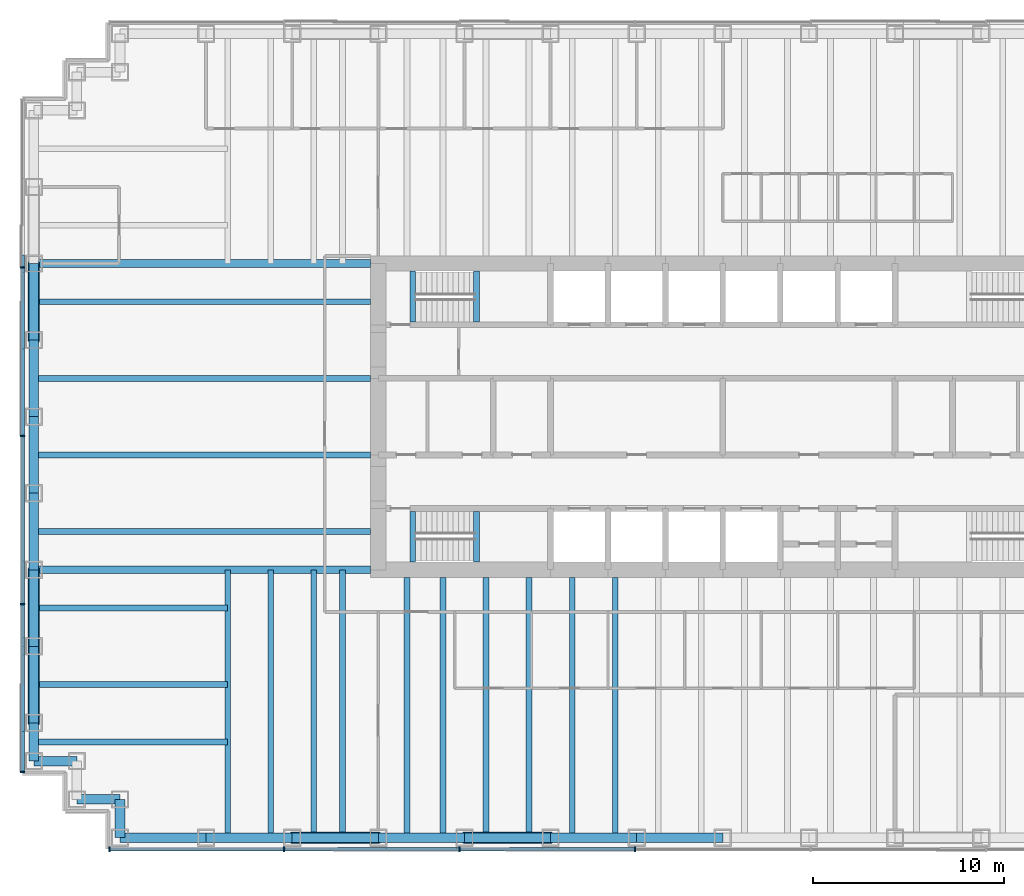
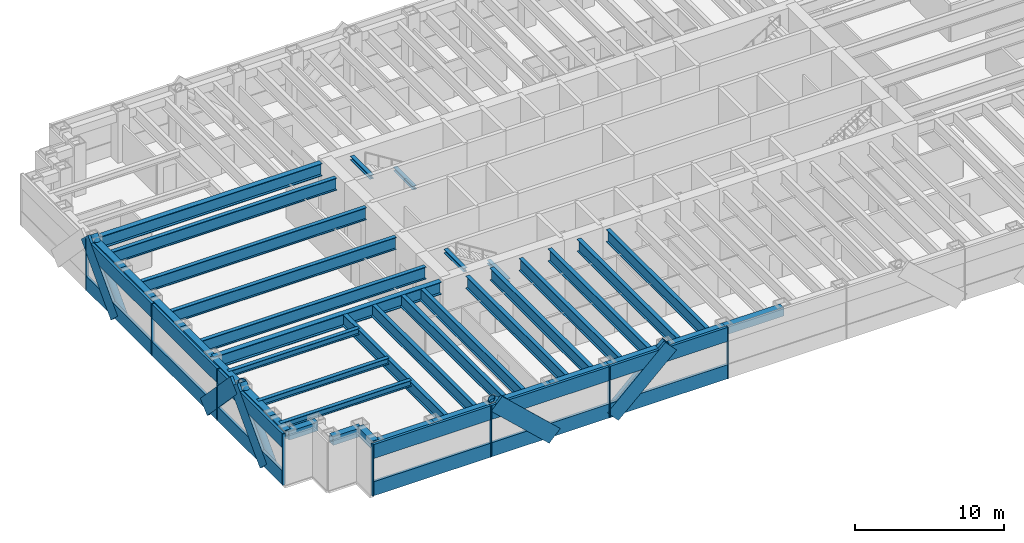
# One storey, part 2 of 12: 40 beams, 30 members, 2 elements without a shape of their own.
"""IFC4 building model written with IfcOpenShell, lengths in metres."""

import ifcopenshell
import ifcopenshell.guid

model = None  # the IFC model being written
_history = None  # IfcOwnerHistory: only IFC2X3 demands one
_inside = {}  # id of a spatial element -> (the spatial element, [elements in it])
_under = {}  # id of a project, library or spatial element -> (it, [spatial elements below it])
_declared = {}  # id of a project -> (the project, [libraries it declares])
_typed = {}  # id of a type object -> (the type object, [elements of that type])
_made_of = {}  # id of a material, layer set ... -> (it, [elements and type objects made of it])


def new_model(schema):
    """Start an empty IFC model of exactly this schema.

    Asked for "IFC4X3", IfcOpenShell would pick the latest addendum, in which some entities
    have other attributes; the version numbers below select the first issue.
    IFC2X3 requires an IfcOwnerHistory on every rooted entity: one is made here for all.
    """
    global model, _history
    if schema == "IFC4X3":
        model = ifcopenshell.file(schema_version=(4, 3, 0, 0))
    else:
        model = ifcopenshell.file(schema=schema)
    _inside.clear()
    _under.clear()
    _declared.clear()
    _typed.clear()
    _made_of.clear()
    _history = None
    if model.schema == "IFC2X3":
        org = make("IfcOrganization", Name="unknown")
        user = make(
            "IfcPersonAndOrganization",
            ThePerson=make("IfcPerson", FamilyName="unknown"),
            TheOrganization=org,
        )
        app = make(
            "IfcApplication",
            ApplicationDeveloper=org,
            Version="unknown",
            ApplicationFullName="unknown",
            ApplicationIdentifier="unknown",
        )
        _history = make(
            "IfcOwnerHistory",
            OwningUser=user,
            OwningApplication=app,
            ChangeAction="ADDED",
            CreationDate=0,
        )
    return model


def make(cls, **values):
    """One entity of the class cls with the attributes given. An attribute that is None is left unset."""
    return model.create_entity(
        cls, **{name: value for name, value in values.items() if value is not None}
    )


def rooted(cls, **values):
    """An entity with a GlobalId (a new one), such as an element, a storey or a relation."""
    return make(cls, GlobalId=ifcopenshell.guid.new(), OwnerHistory=_history, **values)


def si_unit(unit_type, name, prefix=None):
    """IfcSIUnit, for example si_unit("LENGTHUNIT", "METRE", prefix="MILLI")."""
    return make("IfcSIUnit", UnitType=unit_type, Prefix=prefix, Name=name)


def assignment(units):
    """IfcUnitAssignment: the units of a project."""
    return None if units is None else make("IfcUnitAssignment", Units=units)


def point(xyz):
    """IfcCartesianPoint."""
    return None if xyz is None else make("IfcCartesianPoint", Coordinates=xyz)


def direction(xyz):
    """IfcDirection."""
    return None if xyz is None else make("IfcDirection", DirectionRatios=xyz)


def frame(location, z_axis=None, x_axis=None):
    """IfcAxis2Placement3D, a coordinate frame: its origin and axes. An axis left out is left unset."""
    return make(
        "IfcAxis2Placement3D",
        Location=point(location),
        Axis=direction(z_axis),
        RefDirection=direction(x_axis),
    )


def frame_2d(location, x_axis=None):
    """IfcAxis2Placement2D, a coordinate frame in the plane: its origin and x axis."""
    return make(
        "IfcAxis2Placement2D", Location=point(location), RefDirection=direction(x_axis)
    )


def origin():
    """The frame at (0, 0, 0) with its axes left unset."""
    return frame((0.0, 0.0, 0.0))


def origin_2d():
    """The frame at (0, 0) in the plane with its x axis left unset."""
    return frame_2d((0.0, 0.0))


def place(relative_to, where):
    """IfcLocalPlacement: puts the frame where relative to a parent placement (None: the world)."""
    return make(
        "IfcLocalPlacement", PlacementRelTo=relative_to, RelativePlacement=where
    )


def context(
    kind, dimensions, precision=None, world=None, true_north=None, identifier=None
):
    """IfcGeometricRepresentationContext, for example the 3D "Model" context."""
    return make(
        "IfcGeometricRepresentationContext",
        ContextIdentifier=identifier,
        ContextType=kind,
        CoordinateSpaceDimension=dimensions,
        Precision=precision,
        WorldCoordinateSystem=world,
        TrueNorth=true_north,
    )


def subcontext(parent, identifier, kind, view, scale=None):
    """IfcGeometricRepresentationSubContext, for example "Body" below "Model"."""
    return make(
        "IfcGeometricRepresentationSubContext",
        ContextIdentifier=identifier,
        ContextType=kind,
        ParentContext=parent,
        TargetScale=scale,
        TargetView=view,
    )


def project(units=None, contexts=None):
    """IfcProject with its units and contexts."""
    return rooted(
        "IfcProject",
        Name="project",
        RepresentationContexts=contexts,
        UnitsInContext=assignment(units),
    )


def spatial(cls, under=None, at=None, **own):
    """A site, building, storey or space (cls), placed at a placement, below another one or the project."""
    s = rooted(cls, ObjectPlacement=at, **own)
    if under is not None:
        _under.setdefault(under.id(), (under, []))[1].append(s)
    return s


def profile(cls, at=None, kind="AREA", **sizes):
    """A parametric profile (cls). Its sizes go by their IFC names, for example OverallWidth=200.0."""
    return make(cls, ProfileType=kind, Position=at, **sizes)


def rectangle(**sizes):
    """IfcRectangleProfileDef."""
    return profile("IfcRectangleProfileDef", **sizes)


def hollow_rectangle(**sizes):
    """IfcRectangleHollowProfileDef."""
    return profile("IfcRectangleHollowProfileDef", **sizes)


def hollow_circle(**sizes):
    """IfcCircleHollowProfileDef."""
    return profile("IfcCircleHollowProfileDef", **sizes)


def i_section(**sizes):
    """IfcIShapeProfileDef."""
    return profile("IfcIShapeProfileDef", **sizes)


def extrude(swept, where, along, depth):
    """IfcExtrudedAreaSolid: the profile swept, set in the frame where, extruded along a direction by depth."""
    return make(
        "IfcExtrudedAreaSolid",
        SweptArea=swept,
        Position=where,
        ExtrudedDirection=direction(along),
        Depth=depth,
    )


def shape(context_of_items, identifier, shape_type, items):
    """IfcShapeRepresentation: the items that make up one representation, for example the "Body"."""
    return make(
        "IfcShapeRepresentation",
        ContextOfItems=context_of_items,
        RepresentationIdentifier=identifier,
        RepresentationType=shape_type,
        Items=items,
    )


def material(Name=None, Category=None):
    """IfcMaterial."""
    return make("IfcMaterial", Name=Name, Category=Category)


def material_profile(
    of_material, cross_section, Name=None, Category=None, Priority=None
):
    """IfcMaterialProfile: a cross section and its material."""
    return make(
        "IfcMaterialProfile",
        Name=Name,
        Material=of_material,
        Profile=cross_section,
        Priority=Priority,
        Category=Category,
    )


def profile_set(profiles, Name=None, composite=None):
    """IfcMaterialProfileSet."""
    return make(
        "IfcMaterialProfileSet",
        Name=Name,
        MaterialProfiles=profiles,
        CompositeProfile=composite,
    )


def made_of(thing, what):
    """Note that an element or type object is made of a material, layer set ...; save() writes the relation."""
    if what is not None:
        _made_of.setdefault(what.id(), (what, []))[1].append(thing)
    return thing


def type_object(cls, material=None, **own):
    """A type object (cls), such as IfcWallType, which elements share."""
    return made_of(rooted(cls, **own), material)


def element(
    cls,
    number,
    at=None,
    inside=None,
    cuts=None,
    type_object=None,
    material=None,
    context=None,
    identifier="Body",
    shape_type=None,
    held_by="IfcProductDefinitionShape",
    body=None,
    shapes=None,
    **own,
):
    """One element of the class cls, such as IfcWall. Its Tag is "e" and its number.

    at: its placement. inside: the storey or other place that contains it. cuts: it is an
    opening in that element (IfcRelVoidsElement). A single representation is given by context,
    identifier, shape_type and body (its items); several are given by shapes. held_by: the class
    of the entity that holds the representations. save() writes the other relations.
    """
    e = rooted(cls, Tag="e%d" % number, ObjectPlacement=at, **own)
    if body is not None:
        shapes = [shape(context, identifier, shape_type, body)]
    if shapes is not None:
        e.Representation = make(held_by, Representations=shapes)
    if inside is not None:
        _inside.setdefault(inside.id(), (inside, []))[1].append(e)
    if cuts is not None:
        rooted(
            "IfcRelVoidsElement", RelatingBuildingElement=cuts, RelatedOpeningElement=e
        )
    if type_object is not None:
        _typed.setdefault(type_object.id(), (type_object, []))[1].append(e)
    return made_of(e, material)


def aggregate(whole, parts):
    """IfcRelAggregates: a whole, such as a stair, and the parts it consists of."""
    return rooted("IfcRelAggregates", RelatingObject=whole, RelatedObjects=parts)


def save(model, path):
    """Write the relations noted so far, then the file.

    IfcRelAggregates (storeys below a building ...), IfcRelContainedInSpatialStructure (elements
    in a storey), IfcRelDefinesByType, IfcRelAssociatesMaterial and IfcRelDeclares: one each for
    every whole, place, type object, material and project.
    """
    for whole, parts in _under.values():
        aggregate(whole, parts)
    for where, things in _inside.values():
        rooted(
            "IfcRelContainedInSpatialStructure",
            RelatedElements=things,
            RelatingStructure=where,
        )
    for kind, things in _typed.values():
        rooted("IfcRelDefinesByType", RelatedObjects=things, RelatingType=kind)
    for what, things in _made_of.values():
        rooted("IfcRelAssociatesMaterial", RelatedObjects=things, RelatingMaterial=what)
    for by, libraries in _declared.values():
        rooted("IfcRelDeclares", RelatingContext=by, RelatedDefinitions=libraries)
    model.write(path)


model = new_model("IFC4")

# Units and contexts
model_context = context("Model", 3, precision=1e-05, world=origin(), true_north=direction((0.0, 1.0)))
body_context = subcontext(model_context, "Body", "Model", "MODEL_VIEW")
ifc_project = project(units=[si_unit("LENGTHUNIT", "METRE"), si_unit("AREAUNIT", "SQUARE_METRE"), si_unit("VOLUMEUNIT", "CUBIC_METRE"), si_unit("PLANEANGLEUNIT", "RADIAN"), si_unit("MASSUNIT", "GRAM", prefix="KILO")], contexts=[model_context])

# Site, building, storey
site_placement = place(None, origin())
site = spatial("IfcSite", under=ifc_project, at=site_placement, CompositionType="ELEMENT")
building_placement = place(site_placement, origin())
building = spatial("IfcBuilding", under=site, at=building_placement, Name="Rheinbord Bourse Tower", CompositionType="ELEMENT")
storey_placement = place(building_placement, frame((0.0, 0.0, 261.39990234375)))
storey = spatial("IfcBuildingStorey", under=building, at=storey_placement, Name="L59", CompositionType="ELEMENT", Elevation=261.39990234375)

# Beams
ifc_material_1 = material(Name="Steel S460M", Category="steel")
ifc_material_profile_1 = material_profile(ifc_material_1, hollow_rectangle(XDim=0.5, YDim=0.699951171875, WallThickness=0.0400390625, at=origin_2d()), Name="BOX 700x500x40")
ifc_profile_set_1 = profile_set([ifc_material_profile_1], Name="Steel S460M")
beam_type_1 = type_object("IfcBeamType", Name="BELT CHORD BOX 700x500x40", PredefinedType="SPANDREL", material=ifc_profile_set_1)
for number, where, z_axis, x_axis, name in (
    (1, (4.5, 2.0, 3.60009765625), (1.0, 0.0, 0.0), (0.0, 1.0, 0.0), "Spandrel SW-E-S-9 under L60"),
    (2, (9.0, 2.0, 3.60009765625), (1.0, 0.0, 0.0), (0.0, 1.0, 0.0), "Spandrel S-9-S-13.5 under L60"),
    (3, (13.5, 2.0, 3.60009765625), (1.0, 0.0, 0.0), (0.0, 1.0, 0.0), "Spandrel S-13.5-S-18 under L60"),
    (4, (18.0, 2.0, 3.60009765625), (1.0, 0.0, 0.0), (0.0, 1.0, 0.0), "Spandrel S-18-S-22.5 under L60"),
    (5, (22.5, 2.0, 3.60009765625), (1.0, 0.0, 0.0), (0.0, 1.0, 0.0), "Spandrel S-22.5-S-27 under L60"),
    (6, (27.0, 2.0, 3.60009765625), (1.0, 0.0, 0.0), (0.0, 1.0, 0.0), "Spandrel S-27-S-31.5 under L60"),
    (7, (31.5, 2.0, 3.60009765625), (1.0, 0.0, 0.0), (0.0, 1.0, 0.0), "Spandrel S-31.5-S-36 under L60"),
):
    element("IfcBeam", number, at=place(storey_placement, frame(where, z_axis=z_axis, x_axis=x_axis)), inside=storey, type_object=beam_type_1, Name=name, PredefinedType="SPANDREL", context=body_context, shape_type="SweptSolid", body=[
        extrude(hollow_rectangle(XDim=0.5, YDim=0.699951171875, WallThickness=0.0400390625, at=origin_2d()), origin(), (0.0, 0.0, 1.0), 4.5),
    ])
for number, where, z_axis, x_axis, name in (
    (8, (0.0, 32.0, 3.60009765625), (0.0, -1.0, 0.0), (1.0, 0.0, 0.0), "Spandrel W-32-W-28 under L60"),
    (9, (0.0, 28.0, 3.60009765625), (0.0, -1.0, 0.0), (1.0, 0.0, 0.0), "Spandrel W-28-W-24 under L60"),
    (10, (0.0, 24.0, 3.60009765625), (0.0, -1.0, 0.0), (1.0, 0.0, 0.0), "Spandrel W-24-W-20 under L60"),
    (11, (0.0, 20.0, 3.60009765625), (0.0, -1.0, 0.0), (1.0, 0.0, 0.0), "Spandrel W-20-W-16 under L60"),
    (12, (0.0, 16.0, 3.60009765625), (0.0, -1.0, 0.0), (1.0, 0.0, 0.0), "Spandrel W-16-W-12 under L60"),
    (13, (0.0, 12.0, 3.60009765625), (0.0, -1.0, 0.0), (1.0, 0.0, 0.0), "Spandrel W-12-W-8 under L60"),
):
    element("IfcBeam", number, at=place(storey_placement, frame(where, z_axis=z_axis, x_axis=x_axis)), inside=storey, type_object=beam_type_1, Name=name, PredefinedType="SPANDREL", context=body_context, shape_type="SweptSolid", body=[
        extrude(hollow_rectangle(XDim=0.5, YDim=0.699951171875, WallThickness=0.0400390625, at=origin_2d()), origin(), (0.0, 0.0, 1.0), 4.0),
    ])
beam_1_placement = place(storey_placement, frame((0.0, 8.0, 3.60009765625), z_axis=(0.0, -1.0, 0.0), x_axis=(1.0, 0.0, 0.0)))
element("IfcBeam", 14, at=beam_1_placement, inside=storey, type_object=beam_type_1, Name="Spandrel W-8-SW-A under L60", PredefinedType="SPANDREL", context=body_context, shape_type="SweptSolid", body=[
    extrude(hollow_rectangle(XDim=0.5, YDim=0.699951171875, WallThickness=0.0400390625, at=origin_2d()), origin(), (0.0, 0.0, 1.0), 2.0),
])
for number, where, z_axis, x_axis, name in (
    (15, (0.0, 6.0, 3.60009765625), (1.0, 0.0, 0.0), (0.0, 1.0, 0.0), "Spandrel SW-A-SW-B under L60"),
    (16, (2.25, 4.0, 3.60009765625), (1.0, 0.0, 0.0), (0.0, 1.0, 0.0), "Spandrel SW-C-SW-D under L60"),
):
    element("IfcBeam", number, at=place(storey_placement, frame(where, z_axis=z_axis, x_axis=x_axis)), inside=storey, type_object=beam_type_1, Name=name, PredefinedType="SPANDREL", context=body_context, shape_type="SweptSolid", body=[
        extrude(hollow_rectangle(XDim=0.5, YDim=0.699951171875, WallThickness=0.0400390625, at=origin_2d()), origin(), (0.0, 0.0, 1.0), 2.25),
    ])
beam_2_placement = place(storey_placement, frame((4.5, 4.0, 3.60009765625), z_axis=(0.0, -1.0, 0.0), x_axis=(1.0, 0.0, 0.0)))
element("IfcBeam", 17, at=beam_2_placement, inside=storey, type_object=beam_type_1, Name="Spandrel SW-D-SW-E under L60", PredefinedType="SPANDREL", context=body_context, shape_type="SweptSolid", body=[
    extrude(hollow_rectangle(XDim=0.5, YDim=0.699951171875, WallThickness=0.0400390625, at=origin_2d()), origin(), (0.0, 0.0, 1.0), 2.0),
])

# Curtain wall, members
ifc_material_2 = material(Name="Dark glass and black aluminium", Category="aluminium")
curtain_wall_type = type_object("IfcCurtainWallType", Name="CW5 DARK GLASS CURTAIN WALL", PredefinedType="USERDEFINED", material=ifc_material_2)
curtain_wall_1_placement = place(storey_placement, origin())
curtain_wall_1 = element("IfcCurtainWall", 18, at=curtain_wall_1_placement, inside=storey, type_object=curtain_wall_type, Name="Curtain wall CW5 S L59", ObjectType="UNITISED CURTAIN WALL", PredefinedType="USERDEFINED")
ifc_material_3 = material(Name="Black anodised aluminium", Category="aluminium")
ifc_material_profile_2 = material_profile(ifc_material_3, rectangle(XDim=0.199951171875, YDim=1.259033203125, at=origin_2d()), Name="CW5 DIAGONAL MULLION 1259x200")
ifc_profile_set_2 = profile_set([ifc_material_profile_2], Name="Black anodised aluminium")
member_type_1 = type_object("IfcMemberType", Name="CW5 BLACK DIAGONAL MULLION", PredefinedType="USERDEFINED", material=ifc_profile_set_2)
member_1_placement = place(storey_placement, frame((22.5, 1.39990234375, 0.0), z_axis=(0.731039441158, 0.0, 0.682335207557), x_axis=(0.0, 1.0, 0.0)))
member_1 = element("IfcMember", 19, at=member_1_placement, type_object=member_type_1, Name="CW5 diagonal mullion a", ObjectType="DIAGONAL MULLION", PredefinedType="USERDEFINED", context=body_context, shape_type="SweptSolid", body=[
    extrude(rectangle(XDim=0.199951171875, YDim=1.259033203125, at=origin_2d()), origin(), (0.0, 0.0, 1.0), 6.155517578125),
])
member_2_placement = place(storey_placement, frame((18.0, 1.39990234375, 0.0), z_axis=(-0.731039441158, 0.0, 0.682335207557), x_axis=(0.0, -1.0, 0.0)))
member_2 = element("IfcMember", 20, at=member_2_placement, type_object=member_type_1, Name="CW5 diagonal mullion d", ObjectType="DIAGONAL MULLION", PredefinedType="USERDEFINED", context=body_context, shape_type="SweptSolid", body=[
    extrude(rectangle(XDim=0.199951171875, YDim=1.259033203125, at=origin_2d()), origin(), (0.0, 0.0, 1.0), 6.155517578125),
])

curtain_wall_2_placement = place(storey_placement, origin())
curtain_wall_2 = element("IfcCurtainWall", 21, at=curtain_wall_2_placement, inside=storey, type_object=curtain_wall_type, Name="Curtain wall CW5 W L59", ObjectType="UNITISED CURTAIN WALL", PredefinedType="USERDEFINED")
member_3_placement = place(storey_placement, frame((-0.60009765625, 28.0, 0.0), z_axis=(0.0, 0.689638355374, 0.72415394689), x_axis=(-1.0, 0.0, 0.0)))
member_3 = element("IfcMember", 22, at=member_3_placement, type_object=member_type_1, Name="CW5 diagonal mullion a", ObjectType="DIAGONAL MULLION", PredefinedType="USERDEFINED", context=body_context, shape_type="SweptSolid", body=[
    extrude(rectangle(XDim=0.199951171875, YDim=1.259033203125, at=origin_2d()), origin(), (0.0, 0.0, 1.0), 5.800048828125),
])
member_4_placement = place(storey_placement, frame((-0.60009765625, 16.0, 0.0), z_axis=(0.0, -0.689638355374, 0.72415394689), x_axis=(1.0, 0.0, 0.0)))
member_4 = element("IfcMember", 23, at=member_4_placement, type_object=member_type_1, Name="CW5 diagonal mullion b", ObjectType="DIAGONAL MULLION", PredefinedType="USERDEFINED", context=body_context, shape_type="SweptSolid", body=[
    extrude(rectangle(XDim=0.199951171875, YDim=1.259033203125, at=origin_2d()), origin(), (0.0, 0.0, 1.0), 5.800048828125),
])
member_5_placement = place(storey_placement, frame((-0.60009765625, 8.0, 0.0), z_axis=(0.0, 0.689638355374, 0.72415394689), x_axis=(-1.0, 0.0, 0.0)))
member_5 = element("IfcMember", 24, at=member_5_placement, type_object=member_type_1, Name="CW5 diagonal mullion d", ObjectType="DIAGONAL MULLION", PredefinedType="USERDEFINED", context=body_context, shape_type="SweptSolid", body=[
    extrude(rectangle(XDim=0.199951171875, YDim=1.259033203125, at=origin_2d()), origin(), (0.0, 0.0, 1.0), 5.800048828125),
])

# Member
ifc_material_4 = material(Name="Black anodised aluminium", Category="aluminium")
ifc_material_profile_3 = material_profile(ifc_material_4, rectangle(XDim=0.25, YDim=0.080078125, at=origin_2d()), Name="CW5 MULLION 80x250")
ifc_profile_set_3 = profile_set([ifc_material_profile_3], Name="Black anodised aluminium")
member_type_2 = type_object("IfcMemberType", Name="CW5 BLACK MULLION", PredefinedType="MULLION", material=ifc_profile_set_3)
member_6_placement = place(storey_placement, frame((3.93994140625, 1.39990234375, 0.0), z_axis=(0.0, 0.0, 1.0), x_axis=(0.0, 1.0, 0.0)))
member_6 = element("IfcMember", 25, at=member_6_placement, type_object=member_type_2, Name="CW5 mullion 1", PredefinedType="MULLION", context=body_context, shape_type="SweptSolid", body=[
    extrude(rectangle(XDim=0.25, YDim=0.080078125, at=origin_2d()), origin(), (0.0, 0.0, 1.0), 4.2001953125),
])

member_7_placement = place(storey_placement, frame((13.071533203125, 1.39990234375, 0.0), z_axis=(0.0, 0.0, 1.0), x_axis=(0.0, 1.0, 0.0)))
member_7 = element("IfcMember", 26, at=member_7_placement, type_object=member_type_2, Name="CW5 mullion 2", PredefinedType="MULLION", context=body_context, shape_type="SweptSolid", body=[
    extrude(rectangle(XDim=0.25, YDim=0.080078125, at=origin_2d()), origin(), (0.0, 0.0, 1.0), 4.2001953125),
])

member_8_placement = place(storey_placement, frame((22.242919921875, 1.39990234375, 0.0), z_axis=(0.0, 0.0, 1.0), x_axis=(0.0, 1.0, 0.0)))
member_8 = element("IfcMember", 27, at=member_8_placement, type_object=member_type_2, Name="CW5 mullion 3", PredefinedType="MULLION", context=body_context, shape_type="SweptSolid", body=[
    extrude(rectangle(XDim=0.25, YDim=0.080078125, at=origin_2d()), origin(), (0.0, 0.0, 1.0), 4.2001953125),
])

member_9_placement = place(storey_placement, frame((31.414306640625, 1.39990234375, 0.0), z_axis=(0.0, 0.0, 1.0), x_axis=(0.0, 1.0, 0.0)))
member_9 = element("IfcMember", 28, at=member_9_placement, type_object=member_type_2, Name="CW5 mullion 4", PredefinedType="MULLION", context=body_context, shape_type="SweptSolid", body=[
    extrude(rectangle(XDim=0.25, YDim=0.080078125, at=origin_2d()), origin(), (0.0, 0.0, 1.0), 4.2001953125),
])

member_10_placement = place(storey_placement, frame((-0.60009765625, 31.800048828125, 0.0), z_axis=(0.0, 0.0, 1.0), x_axis=(1.0, 0.0, 0.0)))
member_10 = element("IfcMember", 29, at=member_10_placement, type_object=member_type_2, Name="CW5 mullion 2", PredefinedType="MULLION", context=body_context, shape_type="SweptSolid", body=[
    extrude(rectangle(XDim=0.25, YDim=0.080078125, at=origin_2d()), origin(), (0.0, 0.0, 1.0), 4.2001953125),
])

member_11_placement = place(storey_placement, frame((-0.60009765625, 23.0, 0.0), z_axis=(0.0, 0.0, 1.0), x_axis=(1.0, 0.0, 0.0)))
member_11 = element("IfcMember", 30, at=member_11_placement, type_object=member_type_2, Name="CW5 mullion 3", PredefinedType="MULLION", context=body_context, shape_type="SweptSolid", body=[
    extrude(rectangle(XDim=0.25, YDim=0.080078125, at=origin_2d()), origin(), (0.0, 0.0, 1.0), 4.2001953125),
])

member_12_placement = place(storey_placement, frame((-0.60009765625, 14.199951171875, 0.0), z_axis=(0.0, 0.0, 1.0), x_axis=(1.0, 0.0, 0.0)))
member_12 = element("IfcMember", 31, at=member_12_placement, type_object=member_type_2, Name="CW5 mullion 4", PredefinedType="MULLION", context=body_context, shape_type="SweptSolid", body=[
    extrude(rectangle(XDim=0.25, YDim=0.080078125, at=origin_2d()), origin(), (0.0, 0.0, 1.0), 4.2001953125),
])

member_13_placement = place(storey_placement, frame((-0.60009765625, 5.43994140625, 0.0), z_axis=(0.0, 0.0, 1.0), x_axis=(1.0, 0.0, 0.0)))
member_13 = element("IfcMember", 32, at=member_13_placement, type_object=member_type_2, Name="CW5 mullion 5", PredefinedType="MULLION", context=body_context, shape_type="SweptSolid", body=[
    extrude(rectangle(XDim=0.25, YDim=0.080078125, at=origin_2d()), origin(), (0.0, 0.0, 1.0), 4.2001953125),
])

ifc_material_5 = material(Name="Black anodised aluminium", Category="aluminium")
ifc_material_profile_4 = material_profile(ifc_material_5, rectangle(XDim=0.199951171875, YDim=1.14990234375, at=origin_2d()), Name="CW5 TRANSOM 1150x200")
ifc_profile_set_4 = profile_set([ifc_material_profile_4], Name="Black anodised aluminium")
member_type_3 = type_object("IfcMemberType", Name="CW5 BLACK TRANSOM", PredefinedType="USERDEFINED", material=ifc_profile_set_4)
member_14_placement = place(storey_placement, frame((3.97998046875, 1.39990234375, 0.5751953125), z_axis=(1.0, 0.0, 0.0), x_axis=(0.0, 1.0, 0.0)))
member_14 = element("IfcMember", 33, at=member_14_placement, type_object=member_type_3, Name="CW5 transom 1.1", ObjectType="TRANSOM", PredefinedType="USERDEFINED", context=body_context, shape_type="SweptSolid", body=[
    extrude(rectangle(XDim=0.199951171875, YDim=1.14990234375, at=origin_2d()), origin(), (0.0, 0.0, 1.0), 9.051513671875),
])

member_15_placement = place(storey_placement, frame((3.97998046875, 1.39990234375, 3.625), z_axis=(1.0, 0.0, 0.0), x_axis=(0.0, 1.0, 0.0)))
member_15 = element("IfcMember", 34, at=member_15_placement, type_object=member_type_3, Name="CW5 transom 1.2", ObjectType="TRANSOM", PredefinedType="USERDEFINED", context=body_context, shape_type="SweptSolid", body=[
    extrude(rectangle(XDim=0.199951171875, YDim=1.14990234375, at=origin_2d()), origin(), (0.0, 0.0, 1.0), 9.051513671875),
])

member_16_placement = place(storey_placement, frame((13.111328125, 1.39990234375, 0.5751953125), z_axis=(1.0, 0.0, 0.0), x_axis=(0.0, 1.0, 0.0)))
member_16 = element("IfcMember", 35, at=member_16_placement, type_object=member_type_3, Name="CW5 transom 2.1", ObjectType="TRANSOM", PredefinedType="USERDEFINED", context=body_context, shape_type="SweptSolid", body=[
    extrude(rectangle(XDim=0.199951171875, YDim=1.14990234375, at=origin_2d()), origin(), (0.0, 0.0, 1.0), 9.091552734375),
])

member_17_placement = place(storey_placement, frame((13.111328125, 1.39990234375, 3.625), z_axis=(1.0, 0.0, 0.0), x_axis=(0.0, 1.0, 0.0)))
member_17 = element("IfcMember", 36, at=member_17_placement, type_object=member_type_3, Name="CW5 transom 2.2", ObjectType="TRANSOM", PredefinedType="USERDEFINED", context=body_context, shape_type="SweptSolid", body=[
    extrude(rectangle(XDim=0.199951171875, YDim=1.14990234375, at=origin_2d()), origin(), (0.0, 0.0, 1.0), 9.091552734375),
])

member_18_placement = place(storey_placement, frame((22.282958984375, 1.39990234375, 0.5751953125), z_axis=(1.0, 0.0, 0.0), x_axis=(0.0, 1.0, 0.0)))
member_18 = element("IfcMember", 37, at=member_18_placement, type_object=member_type_3, Name="CW5 transom 3.1", ObjectType="TRANSOM", PredefinedType="USERDEFINED", context=body_context, shape_type="SweptSolid", body=[
    extrude(rectangle(XDim=0.199951171875, YDim=1.14990234375, at=origin_2d()), origin(), (0.0, 0.0, 1.0), 9.09130859375),
])

member_19_placement = place(storey_placement, frame((22.282958984375, 1.39990234375, 3.625), z_axis=(1.0, 0.0, 0.0), x_axis=(0.0, 1.0, 0.0)))
member_19 = element("IfcMember", 38, at=member_19_placement, type_object=member_type_3, Name="CW5 transom 3.2", ObjectType="TRANSOM", PredefinedType="USERDEFINED", context=body_context, shape_type="SweptSolid", body=[
    extrude(rectangle(XDim=0.199951171875, YDim=1.14990234375, at=origin_2d()), origin(), (0.0, 0.0, 1.0), 9.09130859375),
])

aggregate(curtain_wall_1, [member_6, member_7, member_8, member_9, member_14, member_15, member_16, member_17, member_18, member_19, member_1, member_2])

member_20_placement = place(storey_placement, frame((-0.60009765625, 31.760009765625, 0.5751953125), z_axis=(0.0, -1.0, 0.0), x_axis=(1.0, 0.0, 0.0)))
member_20 = element("IfcMember", 39, at=member_20_placement, type_object=member_type_3, Name="CW5 transom 2.1", ObjectType="TRANSOM", PredefinedType="USERDEFINED", context=body_context, shape_type="SweptSolid", body=[
    extrude(rectangle(XDim=0.199951171875, YDim=1.14990234375, at=origin_2d()), origin(), (0.0, 0.0, 1.0), 8.719970703125),
])

member_21_placement = place(storey_placement, frame((-0.60009765625, 31.760009765625, 3.625), z_axis=(0.0, -1.0, 0.0), x_axis=(1.0, 0.0, 0.0)))
member_21 = element("IfcMember", 40, at=member_21_placement, type_object=member_type_3, Name="CW5 transom 2.2", ObjectType="TRANSOM", PredefinedType="USERDEFINED", context=body_context, shape_type="SweptSolid", body=[
    extrude(rectangle(XDim=0.199951171875, YDim=1.14990234375, at=origin_2d()), origin(), (0.0, 0.0, 1.0), 8.719970703125),
])

member_22_placement = place(storey_placement, frame((-0.60009765625, 22.9599609375, 0.5751953125), z_axis=(0.0, -1.0, 0.0), x_axis=(1.0, 0.0, 0.0)))
member_22 = element("IfcMember", 41, at=member_22_placement, type_object=member_type_3, Name="CW5 transom 3.1", ObjectType="TRANSOM", PredefinedType="USERDEFINED", context=body_context, shape_type="SweptSolid", body=[
    extrude(rectangle(XDim=0.199951171875, YDim=1.14990234375, at=origin_2d()), origin(), (0.0, 0.0, 1.0), 8.719970703125),
])

member_23_placement = place(storey_placement, frame((-0.60009765625, 22.9599609375, 3.625), z_axis=(0.0, -1.0, 0.0), x_axis=(1.0, 0.0, 0.0)))
member_23 = element("IfcMember", 42, at=member_23_placement, type_object=member_type_3, Name="CW5 transom 3.2", ObjectType="TRANSOM", PredefinedType="USERDEFINED", context=body_context, shape_type="SweptSolid", body=[
    extrude(rectangle(XDim=0.199951171875, YDim=1.14990234375, at=origin_2d()), origin(), (0.0, 0.0, 1.0), 8.719970703125),
])

member_24_placement = place(storey_placement, frame((-0.60009765625, 14.159912109375, 0.5751953125), z_axis=(0.0, -1.0, 0.0), x_axis=(1.0, 0.0, 0.0)))
member_24 = element("IfcMember", 43, at=member_24_placement, type_object=member_type_3, Name="CW5 transom 4.1", ObjectType="TRANSOM", PredefinedType="USERDEFINED", context=body_context, shape_type="SweptSolid", body=[
    extrude(rectangle(XDim=0.199951171875, YDim=1.14990234375, at=origin_2d()), origin(), (0.0, 0.0, 1.0), 8.679931640625),
])

member_25_placement = place(storey_placement, frame((-0.60009765625, 14.159912109375, 3.625), z_axis=(0.0, -1.0, 0.0), x_axis=(1.0, 0.0, 0.0)))
member_25 = element("IfcMember", 44, at=member_25_placement, type_object=member_type_3, Name="CW5 transom 4.2", ObjectType="TRANSOM", PredefinedType="USERDEFINED", context=body_context, shape_type="SweptSolid", body=[
    extrude(rectangle(XDim=0.199951171875, YDim=1.14990234375, at=origin_2d()), origin(), (0.0, 0.0, 1.0), 8.679931640625),
])

aggregate(curtain_wall_2, [member_10, member_11, member_12, member_13, member_20, member_21, member_22, member_23, member_24, member_25, member_3, member_4, member_5])

# Beams
ifc_material_6 = material(Name="Steel S460", Category="steel")
ifc_material_profile_5 = material_profile(ifc_material_6, i_section(OverallWidth=0.302001953125, OverallDepth=1.008056640625, WebThickness=0.02099609375, FlangeThickness=0.0400390625, at=origin_2d()), Name="HEM 1000")
ifc_profile_set_5 = profile_set([ifc_material_profile_5], Name="Steel S460")
beam_type_2 = type_object("IfcBeamType", Name="END BEAM HEM 1000", PredefinedType="BEAM", material=ifc_profile_set_5)
for number, where, z_axis, x_axis, name in (
    (45, (0.0, 18.0, 3.446044921875), (1.0, 0.0, 0.0), (0.0, 1.0, 0.0), "End beam west 18 L60"),
    (46, (0.0, 22.0, 3.446044921875), (1.0, 0.0, 0.0), (0.0, 1.0, 0.0), "End beam west 22 L60"),
    (47, (0.0, 26.0, 3.446044921875), (1.0, 0.0, 0.0), (0.0, 1.0, 0.0), "End beam west 26 L60"),
    (48, (0.0, 30.0, 3.446044921875), (1.0, 0.0, 0.0), (0.0, 1.0, 0.0), "End beam west 30 L60"),
):
    element("IfcBeam", number, at=place(storey_placement, frame(where, z_axis=z_axis, x_axis=x_axis)), inside=storey, type_object=beam_type_2, Name=name, PredefinedType="BEAM", context=body_context, shape_type="SweptSolid", body=[
        extrude(i_section(OverallWidth=0.302001953125, OverallDepth=1.008056640625, WebThickness=0.02099609375, FlangeThickness=0.0400390625, at=origin_2d()), origin(), (0.0, 0.0, 1.0), 17.60009765625),
    ])
ifc_material_7 = material(Name="Steel S460", Category="steel")
ifc_material_profile_6 = material_profile(ifc_material_7, i_section(OverallWidth=0.302001953125, OverallDepth=1.008056640625, WebThickness=0.02099609375, FlangeThickness=0.0400390625, at=origin_2d()), Name="HEM 1000")
ifc_profile_set_6 = profile_set([ifc_material_profile_6], Name="Steel S460")
beam_type_3 = type_object("IfcBeamType", Name="FLOOR BEAM HEM 1000", PredefinedType="BEAM", material=ifc_profile_set_6)
for number, where, z_axis, x_axis, name in (
    (49, (10.125, 2.0, 3.446044921875), (0.0, 1.0, 0.0), (-1.0, 0.0, 0.0), "Floor beam S-9a L60"),
    (50, (12.375, 2.0, 3.446044921875), (0.0, 1.0, 0.0), (-1.0, 0.0, 0.0), "Floor beam S-9b L60"),
    (51, (14.625, 2.0, 3.446044921875), (0.0, 1.0, 0.0), (-1.0, 0.0, 0.0), "Floor beam S-13.5a L60"),
    (52, (16.125, 2.0, 3.446044921875), (0.0, 1.0, 0.0), (-1.0, 0.0, 0.0), "Floor beam S-13.5b L60"),
):
    element("IfcBeam", number, at=place(storey_placement, frame(where, z_axis=z_axis, x_axis=x_axis)), inside=storey, type_object=beam_type_3, Name=name, PredefinedType="BEAM", context=body_context, shape_type="SweptSolid", body=[
        extrude(i_section(OverallWidth=0.302001953125, OverallDepth=1.008056640625, WebThickness=0.02099609375, FlangeThickness=0.0400390625, at=origin_2d()), origin(), (0.0, 0.0, 1.0), 14.0),
    ])
for number, where, z_axis, x_axis, name in (
    (53, (19.5, 2.0, 3.446044921875), (0.0, 1.0, 0.0), (-1.0, 0.0, 0.0), "Floor beam S-18a L60"),
    (54, (21.375, 2.0, 3.446044921875), (0.0, 1.0, 0.0), (-1.0, 0.0, 0.0), "Floor beam S-18b L60"),
    (55, (23.625, 2.0, 3.446044921875), (0.0, 1.0, 0.0), (-1.0, 0.0, 0.0), "Floor beam S-22.5a L60"),
    (56, (25.875, 2.0, 3.446044921875), (0.0, 1.0, 0.0), (-1.0, 0.0, 0.0), "Floor beam S-22.5b L60"),
    (57, (28.125, 2.0, 3.446044921875), (0.0, 1.0, 0.0), (-1.0, 0.0, 0.0), "Floor beam S-27a L60"),
    (58, (30.375, 2.0, 3.446044921875), (0.0, 1.0, 0.0), (-1.0, 0.0, 0.0), "Floor beam S-27b L60"),
):
    element("IfcBeam", number, at=place(storey_placement, frame(where, z_axis=z_axis, x_axis=x_axis)), inside=storey, type_object=beam_type_3, Name=name, PredefinedType="BEAM", context=body_context, shape_type="SweptSolid", body=[
        extrude(i_section(OverallWidth=0.302001953125, OverallDepth=1.008056640625, WebThickness=0.02099609375, FlangeThickness=0.0400390625, at=origin_2d()), origin(), (0.0, 0.0, 1.0), 13.60009765625),
    ])
ifc_material_8 = material(Name="Steel S460", Category="steel")
ifc_material_profile_7 = material_profile(ifc_material_8, i_section(OverallWidth=0.404052734375, OverallDepth=1.02001953125, WebThickness=0.025390625, FlangeThickness=0.0458984375, at=origin_2d()), Name="HL 1000 x 483")
ifc_profile_set_7 = profile_set([ifc_material_profile_7], Name="Steel S460")
beam_type_4 = type_object("IfcBeamType", Name="GIRDER HL 1000 x 483", PredefinedType="BEAM", material=ifc_profile_set_7)
for number, where, z_axis, x_axis, name in (
    (59, (0.0, 16.0, 3.440185546875), (1.0, 0.0, 0.0), (0.0, 1.0, 0.0), "Girder west 16 L60"),
    (60, (0.0, 32.0, 3.440185546875), (1.0, 0.0, 0.0), (0.0, 1.0, 0.0), "Girder west 32 L60"),
):
    element("IfcBeam", number, at=place(storey_placement, frame(where, z_axis=z_axis, x_axis=x_axis)), inside=storey, type_object=beam_type_4, Name=name, PredefinedType="BEAM", context=body_context, shape_type="SweptSolid", body=[
        extrude(i_section(OverallWidth=0.404052734375, OverallDepth=1.02001953125, WebThickness=0.025390625, FlangeThickness=0.0458984375, at=origin_2d()), origin(), (0.0, 0.0, 1.0), 17.60009765625),
    ])
ifc_material_9 = material(Name="Steel S460", Category="steel")
ifc_material_profile_8 = material_profile(ifc_material_9, i_section(OverallWidth=0.300048828125, OverallDepth=0.300048828125, WebThickness=0.010986328125, FlangeThickness=0.01904296875, at=origin_2d()), Name="HEB 300")
ifc_profile_set_8 = profile_set([ifc_material_profile_8], Name="Steel S460")
beam_type_5 = type_object("IfcBeamType", Name="LANDING TRIMMER HEB 300", PredefinedType="BEAM", material=ifc_profile_set_8)
for number, where, z_axis, x_axis, name in (
    (61, (23.1298828125, 16.39990234375, 1.75), (0.0, 1.0, 0.0), (-1.0, 0.0, 0.0), "Landing trimmer ST1 L59"),
    (62, (19.800048828125, 16.39990234375, 3.800048828125), (0.0, 1.0, 0.0), (-1.0, 0.0, 0.0), "Well trimmer ST1 under L60"),
    (63, (23.1298828125, 28.949951171875, 1.75), (0.0, 1.0, 0.0), (-1.0, 0.0, 0.0), "Landing trimmer ST2 L59"),
    (64, (19.800048828125, 28.949951171875, 3.800048828125), (0.0, 1.0, 0.0), (-1.0, 0.0, 0.0), "Well trimmer ST2 under L60"),
):
    element("IfcBeam", number, at=place(storey_placement, frame(where, z_axis=z_axis, x_axis=x_axis)), inside=storey, type_object=beam_type_5, Name=name, PredefinedType="BEAM", context=body_context, shape_type="SweptSolid", body=[
        extrude(i_section(OverallWidth=0.300048828125, OverallDepth=0.300048828125, WebThickness=0.010986328125, FlangeThickness=0.01904296875, at=origin_2d()), origin(), (0.0, 0.0, 1.0), 2.650146484375),
    ])

# Members
ifc_material_10 = material(Name="Steel S460", Category="steel")
ifc_material_profile_9 = material_profile(ifc_material_10, hollow_circle(Radius=0.304931640625, WallThickness=0.0400390625, at=origin_2d()), Name="CHS 610x40")
ifc_profile_set_9 = profile_set([ifc_material_profile_9], Name="Steel S460")
member_type_4 = type_object("IfcMemberType", Name="MEGABRACE CHS 610x40", PredefinedType="BRACE", material=ifc_profile_set_9)
for number, where, z_axis, x_axis, name in (
    (65, (22.5, 2.0, 0.0), (0.731039441158, 0.0, 0.682335207557), (0.0, 1.0, 0.0), "Megabrace S face line a L59"),
    (66, (18.0, 2.0, 0.0), (-0.731039441158, 0.0, 0.682335207557), (0.0, -1.0, 0.0), "Megabrace S face line d L59"),
):
    element("IfcMember", number, at=place(storey_placement, frame(where, z_axis=z_axis, x_axis=x_axis)), inside=storey, type_object=member_type_4, Name=name, PredefinedType="BRACE", context=body_context, shape_type="SweptSolid", body=[
        extrude(hollow_circle(Radius=0.304931640625, WallThickness=0.0400390625, at=origin_2d()), origin(), (0.0, 0.0, 1.0), 6.155517578125),
    ])
for number, where, z_axis, x_axis, name in (
    (67, (0.0, 28.0, 0.0), (0.0, 0.689638355374, 0.72415394689), (-1.0, 0.0, 0.0), "Megabrace W face line a L59"),
    (68, (0.0, 16.0, 0.0), (0.0, -0.689638355374, 0.72415394689), (1.0, 0.0, 0.0), "Megabrace W face line b L59"),
    (69, (0.0, 8.0, 0.0), (0.0, 0.689638355374, 0.72415394689), (-1.0, 0.0, 0.0), "Megabrace W face line d L59"),
):
    element("IfcMember", number, at=place(storey_placement, frame(where, z_axis=z_axis, x_axis=x_axis)), inside=storey, type_object=member_type_4, Name=name, PredefinedType="BRACE", context=body_context, shape_type="SweptSolid", body=[
        extrude(hollow_circle(Radius=0.304931640625, WallThickness=0.0400390625, at=origin_2d()), origin(), (0.0, 0.0, 1.0), 5.800048828125),
    ])

# Beams
ifc_material_11 = material(Name="Steel S460", Category="steel")
ifc_material_profile_10 = material_profile(ifc_material_11, i_section(OverallWidth=0.300048828125, OverallDepth=0.5, WebThickness=0.014404296875, FlangeThickness=0.028076171875, at=origin_2d()), Name="HEB 500")
ifc_profile_set_10 = profile_set([ifc_material_profile_10], Name="Steel S460")
beam_type_6 = type_object("IfcBeamType", Name="TIE BEAM HEB 500", PredefinedType="JOIST", material=ifc_profile_set_10)
for number, where, z_axis, x_axis, name in (
    (70, (0.0, 7.0, 3.7001953125), (1.0, 0.0, 0.0), (0.0, 1.0, 0.0), "Tie west 7 L60"),
    (71, (0.0, 10.0, 3.7001953125), (1.0, 0.0, 0.0), (0.0, 1.0, 0.0), "Tie west 10 L60"),
    (72, (0.0, 14.0, 3.7001953125), (1.0, 0.0, 0.0), (0.0, 1.0, 0.0), "Tie west 14 L60"),
):
    element("IfcBeam", number, at=place(storey_placement, frame(where, z_axis=z_axis, x_axis=x_axis)), inside=storey, type_object=beam_type_6, Name=name, PredefinedType="JOIST", context=body_context, shape_type="SweptSolid", body=[
        extrude(i_section(OverallWidth=0.300048828125, OverallDepth=0.5, WebThickness=0.014404296875, FlangeThickness=0.028076171875, at=origin_2d()), origin(), (0.0, 0.0, 1.0), 10.125),
    ])

save(model, "model.ifc")
